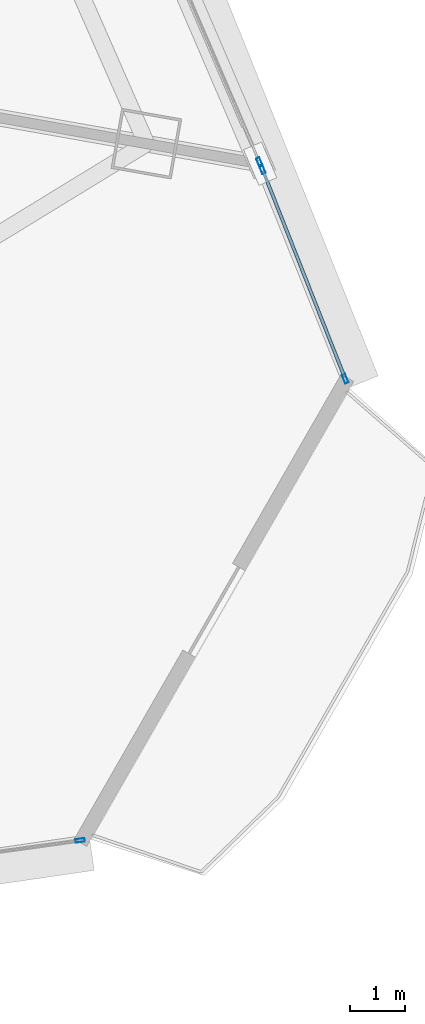
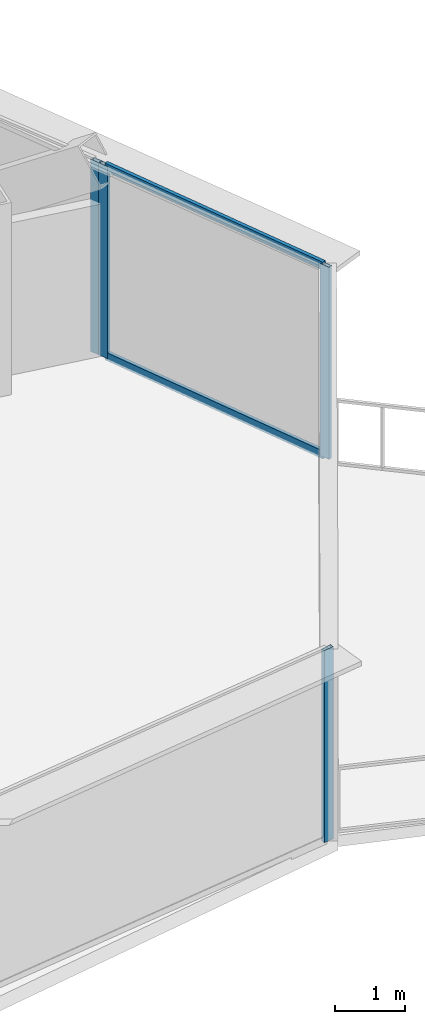
# One storey, part 21 of 38: 6 members, 3 elements without a shape of their own.
"""IFC4 building model written with IfcOpenShell, lengths in metres."""

from ifc_helpers import new_model, si_unit, direction, frame, origin, origin_2d, place, context, subcontext, project, spatial, hollow_rectangle, extrude, source, transform, mapped, material, layer, layer_set, material_profile, profile_set, type_object, element, aggregate, save


model = new_model("IFC4")

# Units and contexts
model_context = context("Model", 3, precision=1e-05, world=origin(), true_north=direction((0.0, 1.0)))
body_context = subcontext(model_context, "Body", "Model", "MODEL_VIEW")
ifc_project = project(units=[si_unit("LENGTHUNIT", "METRE"), si_unit("AREAUNIT", "SQUARE_METRE"), si_unit("VOLUMEUNIT", "CUBIC_METRE"), si_unit("PLANEANGLEUNIT", "RADIAN"), si_unit("MASSUNIT", "GRAM", prefix="KILO"), si_unit("THERMODYNAMICTEMPERATUREUNIT", "KELVIN"), si_unit("POWERUNIT", "WATT")], contexts=[model_context])

# Site, building, storey
site_placement = place(None, origin())
site = spatial("IfcSite", under=ifc_project, at=site_placement, CompositionType="ELEMENT")
building_placement = place(site_placement, origin())
building = spatial("IfcBuilding", under=site, at=building_placement, Name="Yunzhuo Pagoda Commons", CompositionType="ELEMENT")
storey_placement = place(building_placement, frame((0.0, 0.0, 30.39990234375)))
storey = spatial("IfcBuildingStorey", under=building, at=storey_placement, Name="L07", CompositionType="ELEMENT", Elevation=30.39990234375)

# Curtain wall, member
ifc_material = material(Name="Anodized aluminium 6063-T6", Category="aluminium")
ifc_layer = layer(ifc_material, 0.1650390625)
ifc_layer_set = layer_set([ifc_layer], Name="Anodized aluminium 6063-T6")
curtain_wall_type = type_object("IfcCurtainWallType", Name="CW-LOW Low-Zone Ribbon Curtain Wall", PredefinedType="NOTDEFINED", material=ifc_layer_set)
curtain_wall_1_placement = place(storey_placement, origin())
curtain_wall_1 = element("IfcCurtainWall", 1, at=curtain_wall_1_placement, inside=storey, type_object=curtain_wall_type, Name="L07 curtain wall CW-L07-F1B5", PredefinedType="NOTDEFINED")
ifc_material_profile_1 = material_profile(ifc_material, hollow_rectangle(XDim=0.06494140625, YDim=0.1650390625, WallThickness=0.00390625, at=origin_2d()), Name="Anodized aluminium 6063-T6")
ifc_profile_set_1 = profile_set([ifc_material_profile_1], Name="Anodized aluminium 6063-T6")
member_type_1 = type_object("IfcMemberType", Name="CW-LOW-M Mullion RHS 165x65x4", PredefinedType="MULLION", material=ifc_profile_set_1)
shared_shape_1 = source(origin(), body_context, "Body", "SweptSolid", [
    extrude(hollow_rectangle(XDim=0.06494140625, YDim=0.1650390625, WallThickness=0.00390625, at=origin_2d()), origin(), (0.0, 0.0, 1.0), 3.370361328125),
])
member_1_placement = place(storey_placement, frame((86.85302734375, 14.077880859375, 0.0), z_axis=(0.0, 0.0, 1.0), x_axis=(-0.138293641491, 0.99039127052, 0.0)))
member_1 = element("IfcMember", 2, at=member_1_placement, type_object=member_type_1, Name="CW mullion 2", PredefinedType="MULLION", context=body_context, shape_type="MappedRepresentation", body=[
    mapped(shared_shape_1, transform((0.0, 0.0, 0.0), scale=1.0)),
])
aggregate(curtain_wall_1, [member_1])

curtain_wall_2_placement = place(storey_placement, origin())
curtain_wall_2 = element("IfcCurtainWall", 3, at=curtain_wall_2_placement, inside=storey, type_object=curtain_wall_type, Name="L07 curtain wall CW-L07-F2B2", PredefinedType="NOTDEFINED")
member_2_placement = place(storey_placement, frame((90.08544921875, 26.306640625, 0.0), z_axis=(0.0, 0.0, 1.0), x_axis=(-0.918745212535, -0.394850901535, 0.0)))
member_2 = element("IfcMember", 4, at=member_2_placement, type_object=member_type_1, Name="CW mullion 1", PredefinedType="MULLION", context=body_context, shape_type="MappedRepresentation", body=[
    mapped(shared_shape_1, transform((0.0, 0.0, 0.0), scale=1.0)),
])
aggregate(curtain_wall_2, [member_2])

# Curtain wall, members
curtain_wall_3_placement = place(storey_placement, origin())
curtain_wall_3 = element("IfcCurtainWall", 5, at=curtain_wall_3_placement, inside=storey, type_object=curtain_wall_type, Name="L07 curtain wall CW-L07-F2B1", PredefinedType="NOTDEFINED")
member_3_placement = place(storey_placement, frame((91.63134765625, 22.399658203125, 0.0), z_axis=(0.0, 0.0, 1.0), x_axis=(-0.929958215398, -0.367665224919, 0.0)))
member_3 = element("IfcMember", 6, at=member_3_placement, type_object=member_type_1, Name="CW mullion 1", PredefinedType="MULLION", context=body_context, shape_type="MappedRepresentation", body=[
    mapped(shared_shape_1, transform((0.0, 0.0, 0.0), scale=1.0)),
])
member_4_placement = place(storey_placement, frame((90.13818359375, 26.177001953125, 0.0), z_axis=(0.0, 0.0, 1.0), x_axis=(-0.929958215398, -0.367665224919, 0.0)))
member_4 = element("IfcMember", 7, at=member_4_placement, type_object=member_type_1, Name="CW mullion 2", PredefinedType="MULLION", context=body_context, shape_type="MappedRepresentation", body=[
    mapped(shared_shape_1, transform((0.0, 0.0, 0.0), scale=1.0)),
])
ifc_material_profile_2 = material_profile(ifc_material, hollow_rectangle(XDim=0.06005859375, YDim=0.139892578125, WallThickness=0.00341796875, at=origin_2d()), Name="Anodized aluminium 6063-T6")
ifc_profile_set_2 = profile_set([ifc_material_profile_2], Name="Anodized aluminium 6063-T6")
member_type_2 = type_object("IfcMemberType", Name="CW-LOW-T Transom RHS 140x60x3.5", PredefinedType="USERDEFINED", material=ifc_profile_set_2)
shared_shape_2 = source(origin(), body_context, "Body", "SweptSolid", [
    extrude(hollow_rectangle(XDim=0.06005859375, YDim=0.139892578125, WallThickness=0.00341796875, at=origin_2d()), origin(), (0.0, 0.0, 1.0), 3.9970703125),
])
member_5_placement = place(storey_placement, frame((91.619384765625, 22.429931640625, 0.030029296875), z_axis=(-0.36764906147, 0.929964605563, 0.0), x_axis=(-0.929964605563, -0.36764906147, 0.0)))
member_5 = element("IfcMember", 8, at=member_5_placement, type_object=member_type_2, Name="CW transom 1.1", ObjectType="TRANSOM", PredefinedType="USERDEFINED", context=body_context, shape_type="MappedRepresentation", body=[
    mapped(shared_shape_2, transform((0.0, 0.0, 0.0), scale=1.0)),
])
member_6_placement = place(storey_placement, frame((91.619384765625, 22.429931640625, 3.340087890625), z_axis=(-0.36764906147, 0.929964605563, 0.0), x_axis=(-0.929964605563, -0.36764906147, 0.0)))
member_6 = element("IfcMember", 9, at=member_6_placement, type_object=member_type_2, Name="CW transom 1.2", ObjectType="TRANSOM", PredefinedType="USERDEFINED", context=body_context, shape_type="MappedRepresentation", body=[
    mapped(shared_shape_2, transform((0.0, 0.0, 0.0), scale=1.0)),
])
aggregate(curtain_wall_3, [member_3, member_4, member_5, member_6])

save(model, "model.ifc")
